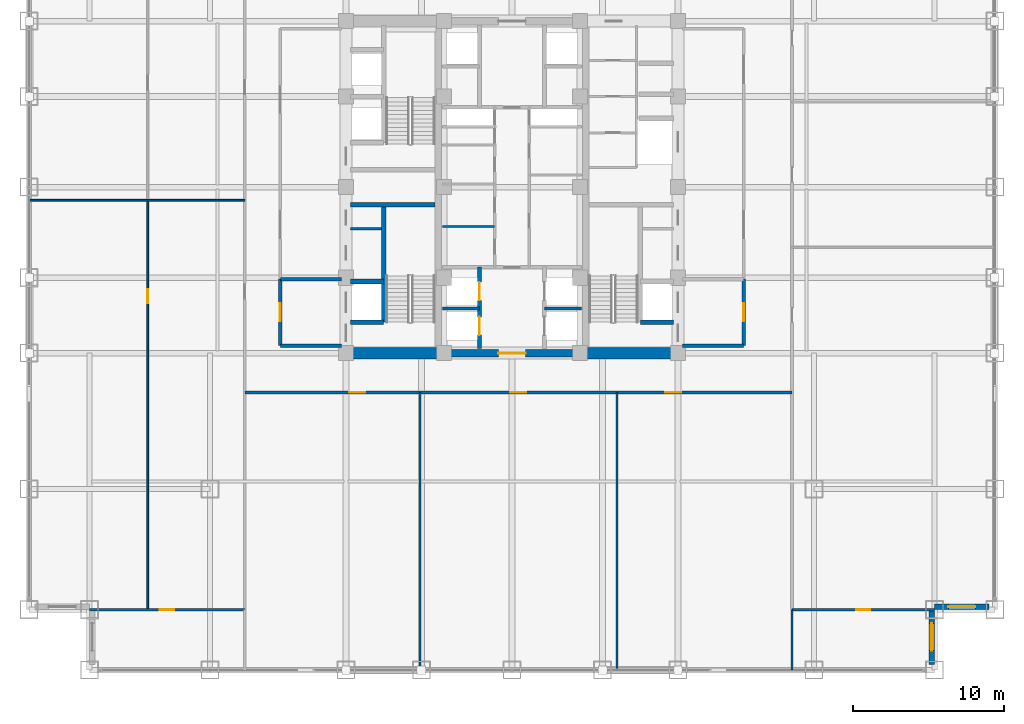
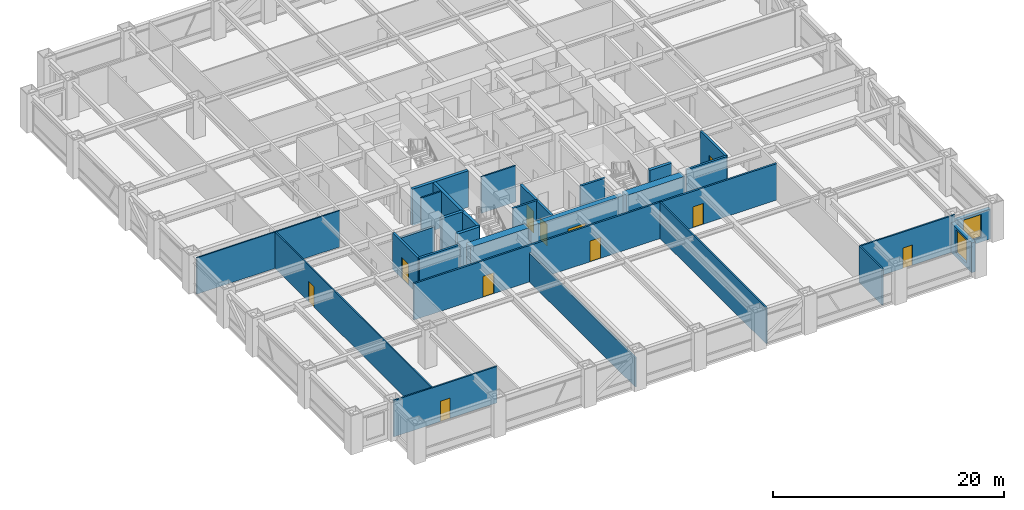
# One storey, part 23 of 27: 28 walls, 11 doors, 2 windows, 13 openings.
"""IFC4 building model written with IfcOpenShell, lengths in metres."""

from ifc_helpers import new_model, si_unit, direction, frame, frame_2d, origin, place, context, subcontext, project, spatial, rectangle, extrude, source, transform, mapped, material, layer, layer_set, type_object, element, fill, save


model = new_model("IFC4")

# Units and contexts
model_context = context("Model", 3, precision=1e-05, world=origin(), true_north=direction((0.0, 1.0)))
body_context = subcontext(model_context, "Body", "Model", "MODEL_VIEW")
ifc_project = project(units=[si_unit("LENGTHUNIT", "METRE"), si_unit("AREAUNIT", "SQUARE_METRE"), si_unit("VOLUMEUNIT", "CUBIC_METRE"), si_unit("PLANEANGLEUNIT", "RADIAN"), si_unit("MASSUNIT", "GRAM", prefix="KILO")], contexts=[model_context])

# Site, building, storey
site_placement = place(None, origin())
site = spatial("IfcSite", under=ifc_project, at=site_placement, CompositionType="ELEMENT")
building_placement = place(site_placement, origin())
building = spatial("IfcBuilding", under=site, at=building_placement, Name="Khorayat Bourse Tower", CompositionType="ELEMENT")
storey_placement = place(building_placement, frame((0.0, 0.0, 107.800048828125)))
storey = spatial("IfcBuildingStorey", under=building, at=storey_placement, Name="L24", CompositionType="ELEMENT", Elevation=107.800048828125)

# Walls
ifc_material_1 = material(Name="Concrete C72/90", Category="concrete")
ifc_layer_1 = layer(ifc_material_1, 0.75)
ifc_layer_set_1 = layer_set([ifc_layer_1], Name="Concrete C72/90")
wall_type_1 = type_object("IfcWallType", Name="WAL-CORE-750", PredefinedType="SHEAR", material=ifc_layer_set_1)
shared_shape_1 = source(origin(), body_context, "Body", "SweptSolid", [
    extrude(rectangle(XDim=5.849853515625, YDim=0.75, at=frame_2d((2.9248046875, 0.0))), origin(), (0.0, 0.0, 1.0), 3.83984375),
])
for number, where, z_axis, x_axis, name in (
    (1, (-10.699951171875, -11.0, 0.0), (0.0, 0.0, 1.0), (1.0, 0.0, 0.0), "L24 Core Shear Wall PIER-WS"),
    (2, (4.85009765625, -11.0, 0.0), (0.0, 0.0, 1.0), (1.0, 0.0, 0.0), "L24 Core Shear Wall PIER-ES"),
):
    element("IfcWall", number, at=place(storey_placement, frame(where, z_axis=z_axis, x_axis=x_axis)), inside=storey, type_object=wall_type_1, Name=name, PredefinedType="SHEAR", context=body_context, shape_type="MappedRepresentation", body=[
        mapped(shared_shape_1, transform((0.0, 0.0, 0.0), scale=1.0)),
    ])
ifc_material_2 = material(Name="Concrete C50/60", Category="concrete")
ifc_layer_2 = layer(ifc_material_2, 0.300048828125)
ifc_layer_set_2 = layer_set([ifc_layer_2], Name="Concrete C50/60")
wall_type_2 = type_object("IfcWallType", Name="WAL-SHAFT-300", PredefinedType="SHEAR", material=ifc_layer_set_2)
shared_shape_2 = source(origin(), body_context, "Body", "SweptSolid", [
    extrude(rectangle(XDim=5.599853515625, YDim=0.300048828125, at=frame_2d((2.7998046875, 0.0))), origin(), (0.0, 0.0, 1.0), 3.83984375),
])
wall_1_placement = place(storey_placement, frame((-10.699951171875, -1.14990234375, 0.0), z_axis=(0.0, 0.0, 1.0), x_axis=(1.0, 0.0, 0.0)))
element("IfcWall", 3, at=wall_1_placement, inside=storey, type_object=wall_type_2, Name="L24 Core Shear Wall ST1-DIV", PredefinedType="SHEAR", context=body_context, shape_type="MappedRepresentation", body=[
    mapped(shared_shape_2, transform((0.0, 0.0, 0.0), scale=1.0)),
])

# Wall, opening, door
ifc_material_3 = material(Name="Concrete C52/65", Category="concrete")
ifc_layer_3 = layer(ifc_material_3, 0.5)
ifc_layer_set_3 = layer_set([ifc_layer_3], Name="Concrete C52/65")
wall_type_3 = type_object("IfcWallType", Name="WAL-CORE-500", PredefinedType="SHEAR", material=ifc_layer_set_3)
shared_shape_3 = source(origin(), body_context, "Body", "SweptSolid", [
    extrude(rectangle(XDim=9.2001953125, YDim=0.5, at=frame_2d((4.60009765625, 0.0))), origin(), (0.0, 0.0, 1.0), 3.83984375),
])
wall_2_placement = place(storey_placement, frame((-4.60009765625, -11.0, 0.0), z_axis=(0.0, 0.0, 1.0), x_axis=(1.0, 0.0, 0.0)))
wall_2 = element("IfcWall", 4, at=wall_2_placement, inside=storey, type_object=wall_type_3, Name="L24 Core Shear Wall CORE-S", PredefinedType="SHEAR", context=body_context, shape_type="MappedRepresentation", body=[
    mapped(shared_shape_3, transform((0.0, 0.0, 0.0), scale=1.0)),
])
shared_shape_4 = source(origin(), body_context, "Body", "SweptSolid", [
    extrude(rectangle(XDim=1.800048828125, YDim=2.25, at=frame_2d((0.89990234375, 1.125))), frame((0.0, 0.260009765625, 0.0), z_axis=(0.0, -1.0, 0.0), x_axis=(1.0, 0.0, 0.0)), (0.0, 0.0, 1.0), 0.52001953125),
])
opening_1_placement = place(wall_2_placement, frame((3.699951171875, 0.0, 0.0)))
opening_1 = element("IfcOpeningElement", 5, at=opening_1_placement, cuts=wall_2, Name="Opening DI-03", PredefinedType="OPENING", context=body_context, shape_type="MappedRepresentation", body=[
    mapped(shared_shape_4, transform((0.0, 0.0, 0.0), scale=1.0)),
])
ifc_material_4 = material(Name="Fire-rated hardwood vision-panel double leaf", Category="wood")
door_type_1 = type_object("IfcDoorType", Name="DR-INT-CORR-1800", OperationType="NOTDEFINED", PredefinedType="DOOR", material=ifc_material_4)
shared_shape_5 = source(origin(), body_context, "Body", "SweptSolid", [
    extrude(rectangle(XDim=1.800048828125, YDim=2.25, at=frame_2d((0.89990234375, 1.125))), frame((0.0, 0.02490234375, 0.0), z_axis=(0.0, -1.0, 0.0), x_axis=(1.0, 0.0, 0.0)), (0.0, 0.0, 1.0), 0.050048828125),
])
door_1_placement = place(opening_1_placement, origin())
door_1 = element("IfcDoor", 6, at=door_1_placement, inside=storey, type_object=door_type_1, Name="L24 Low-Rise Lift Lobby Door", OperationType="SINGLE_SWING_LEFT", OverallHeight=2.25, OverallWidth=1.800048828125, PredefinedType="DOOR", context=body_context, shape_type="MappedRepresentation", body=[
    mapped(shared_shape_5, transform((0.0, 0.0, 0.0), scale=1.0)),
])
fill(opening_1, door_1)

# Wall, opening, window
ifc_material_5 = material(Name="Precast concrete C45/55", Category="concrete")
ifc_layer_4 = layer(ifc_material_5, 0.3798828125)
ifc_layer_set_4 = layer_set([ifc_layer_4], Name="Precast concrete C45/55")
wall_type_4 = type_object("IfcWallType", Name="WAL-EXT-STONE-380", PredefinedType="STANDARD", material=ifc_layer_set_4)
shared_shape_6 = source(origin(), body_context, "Body", "SweptSolid", [
    extrude(rectangle(XDim=3.6201171875, YDim=0.3798828125, at=frame_2d((1.81005859375, 0.0))), origin(), (0.0, 0.0, 1.0), 3.14501953125),
])
wall_3_placement = place(storey_placement, frame((27.81005859375, -31.6201171875, 0.0), z_axis=(0.0, 0.0, 1.0), x_axis=(0.0, 1.0, 0.0)))
wall_3 = element("IfcWall", 7, at=wall_3_placement, inside=storey, type_object=wall_type_4, Name="L24 Re-Entrant Notch Limestone Wall SE-V", PredefinedType="STANDARD", context=body_context, shape_type="MappedRepresentation", body=[
    mapped(shared_shape_6, transform((0.0, 0.0, 0.0), scale=1.0)),
])
shared_shape_7 = source(origin(), body_context, "Body", "SweptSolid", [
    extrude(rectangle(XDim=1.800048828125, YDim=2.39990234375, at=frame_2d((0.89990234375, 1.199951171875))), frame((0.0, 0.199951171875, 0.0), z_axis=(0.0, -1.0, 0.0), x_axis=(1.0, 0.0, 0.0)), (0.0, 0.0, 1.0), 0.39990234375),
])
opening_2_placement = place(wall_3_placement, frame((0.909912109375, 0.0, 0.5)))
opening_2 = element("IfcOpeningElement", 8, at=opening_2_placement, cuts=wall_3, Name="Opening WN-04", PredefinedType="OPENING", context=body_context, shape_type="MappedRepresentation", body=[
    mapped(shared_shape_7, transform((0.0, 0.0, 0.0), scale=1.0)),
])
ifc_material_6 = material(Name="Low-E acoustic laminated double glazing", Category="glass")
window_type = type_object("IfcWindowType", Name="WIN-NOTCH-1800x2400", PartitioningType="SINGLE_PANEL", PredefinedType="WINDOW", material=ifc_material_6)
shared_shape_8 = source(origin(), body_context, "Body", "SweptSolid", [
    extrude(rectangle(XDim=1.800048828125, YDim=2.39990234375, at=frame_2d((0.89990234375, 1.199951171875))), frame((0.0, 0.030029296875, 0.0), z_axis=(0.0, -1.0, 0.0), x_axis=(1.0, 0.0, 0.0)), (0.0, 0.0, 1.0), 0.06005859375),
])
window_1_placement = place(opening_2_placement, origin())
window_1 = element("IfcWindow", 9, at=window_1_placement, inside=storey, type_object=window_type, Name="L24 Facade Window 1", OverallHeight=2.39990234375, OverallWidth=1.800048828125, PartitioningType="SINGLE_PANEL", PredefinedType="WINDOW", context=body_context, shape_type="MappedRepresentation", body=[
    mapped(shared_shape_8, transform((0.0, 0.0, 0.0), scale=1.0)),
])
fill(opening_2, window_1)

wall_4_placement = place(storey_placement, frame((28.0, -27.81005859375, 0.0), z_axis=(0.0, 0.0, 1.0), x_axis=(1.0, 0.0, 0.0)))
wall_4 = element("IfcWall", 10, at=wall_4_placement, inside=storey, type_object=wall_type_4, Name="L24 Re-Entrant Notch Limestone Wall SE-H", PredefinedType="STANDARD", context=body_context, shape_type="MappedRepresentation", body=[
    mapped(shared_shape_6, transform((0.0, 0.0, 0.0), scale=1.0)),
])
opening_3_placement = place(wall_4_placement, frame((0.909912109375, 0.0, 0.5)))
opening_3 = element("IfcOpeningElement", 11, at=opening_3_placement, cuts=wall_4, Name="Opening WN-04", PredefinedType="OPENING", context=body_context, shape_type="MappedRepresentation", body=[
    mapped(shared_shape_7, transform((0.0, 0.0, 0.0), scale=1.0)),
])
window_2_placement = place(opening_3_placement, origin())
window_2 = element("IfcWindow", 12, at=window_2_placement, inside=storey, type_object=window_type, Name="L24 Facade Window 1", OverallHeight=2.39990234375, OverallWidth=1.800048828125, PartitioningType="SINGLE_PANEL", PredefinedType="WINDOW", context=body_context, shape_type="MappedRepresentation", body=[
    mapped(shared_shape_8, transform((0.0, 0.0, 0.0), scale=1.0)),
])
fill(opening_3, window_2)

# Walls
ifc_material_7 = material(Name="Aerated concrete blockwork", Category="masonry")
ifc_layer_5 = layer(ifc_material_7, 0.219970703125)
ifc_layer_set_5 = layer_set([ifc_layer_5], Name="Aerated concrete blockwork")
wall_type_5 = type_object("IfcWallType", Name="WAL-PART-FF-220", PredefinedType="PARTITIONING", material=ifc_layer_set_5)
shared_shape_9 = source(origin(), body_context, "Body", "SweptSolid", [
    extrude(rectangle(XDim=4.050048828125, YDim=0.219970703125, at=frame_2d((2.02490234375, 0.0))), origin(), (0.0, 0.0, 1.0), 3.06689453125),
])
wall_5_placement = place(storey_placement, frame((-15.35009765625, -6.10009765625, 0.0), z_axis=(0.0, 0.0, 1.0), x_axis=(1.0, 0.0, 0.0)))
element("IfcWall", 13, at=wall_5_placement, inside=storey, type_object=wall_type_5, Name="L24 Partition WAL-L24-FFLW-N", PredefinedType="PARTITIONING", context=body_context, shape_type="MappedRepresentation", body=[
    mapped(shared_shape_9, transform((0.0, 0.0, 0.0), scale=1.0)),
])
shared_shape_10 = source(origin(), body_context, "Body", "SweptSolid", [
    extrude(rectangle(XDim=7.800048828125, YDim=0.300048828125, at=frame_2d((3.89990234375, 0.0))), origin(), (0.0, 0.0, 1.0), 3.83984375),
])
wall_6_placement = place(storey_placement, frame((-8.5, -8.949951171875, 0.0), z_axis=(0.0, 0.0, 1.0), x_axis=(0.0, 1.0, 0.0)))
element("IfcWall", 14, at=wall_6_placement, inside=storey, type_object=wall_type_2, Name="L24 Partition WAL-L24-WPIER-SP", PredefinedType="SHEAR", context=body_context, shape_type="MappedRepresentation", body=[
    mapped(shared_shape_10, transform((0.0, 0.0, 0.0), scale=1.0)),
])
shared_shape_11 = source(origin(), body_context, "Body", "SweptSolid", [
    extrude(rectangle(XDim=2.199951171875, YDim=0.300048828125, at=frame_2d((1.10009765625, 0.0))), origin(), (0.0, 0.0, 1.0), 3.83984375),
])
for number, where, z_axis, x_axis, name in (
    (15, (-10.699951171875, -8.949951171875, 0.0), (0.0, 0.0, 1.0), (1.0, 0.0, 0.0), "L24 Partition WAL-L24-WPIER-FF1S"),
    (16, (-10.699951171875, -6.25, 0.0), (0.0, 0.0, 1.0), (1.0, 0.0, 0.0), "L24 Partition WAL-L24-WPIER-FF1N"),
    (17, (8.5, -8.949951171875, 0.0), (0.0, 0.0, 1.0), (1.0, 0.0, 0.0), "L24 Partition WAL-L24-EPIER-FF2S"),
):
    element("IfcWall", number, at=place(storey_placement, frame(where, z_axis=z_axis, x_axis=x_axis)), inside=storey, type_object=wall_type_2, Name=name, PredefinedType="SHEAR", context=body_context, shape_type="MappedRepresentation", body=[
        mapped(shared_shape_11, transform((0.0, 0.0, 0.0), scale=1.0)),
    ])
ifc_material_8 = material(Name="Gypsum plasterboard twin-frame partition")
ifc_layer_6 = layer(ifc_material_8, 0.14990234375)
ifc_layer_set_6 = layer_set([ifc_layer_6], Name="Gypsum plasterboard twin-frame partition")
wall_type_6 = type_object("IfcWallType", Name="WAL-PART-SUITE-150", PredefinedType="PARTITIONING", material=ifc_layer_set_6)
shared_shape_12 = source(origin(), body_context, "Body", "SweptSolid", [
    extrude(rectangle(XDim=2.050048828125, YDim=0.14990234375, at=frame_2d((1.02490234375, 0.0))), origin(), (0.0, 0.0, 1.0), 3.83984375),
])
wall_7_placement = place(storey_placement, frame((-10.699951171875, -2.75, 0.0), z_axis=(0.0, 0.0, 1.0), x_axis=(1.0, 0.0, 0.0)))
element("IfcWall", 18, at=wall_7_placement, inside=storey, type_object=wall_type_6, Name="L24 Partition WAL-L24-WSRV-D1", PredefinedType="PARTITIONING", context=body_context, shape_type="MappedRepresentation", body=[
    mapped(shared_shape_12, transform((0.0, 0.0, 0.0), scale=1.0)),
])
shared_shape_13 = source(origin(), body_context, "Body", "SweptSolid", [
    extrude(rectangle(XDim=4.050048828125, YDim=0.219970703125, at=frame_2d((2.02490234375, 0.0))), origin(), (0.0, 0.0, 1.0), 3.83984375),
])
for number, where, z_axis, x_axis, name in (
    (19, (-15.35009765625, -10.5, 0.0), (0.0, 0.0, 1.0), (1.0, 0.0, 0.0), "L24 Partition WAL-L24-FFLW-S"),
    (20, (11.300048828125, -10.5, 0.0), (0.0, 0.0, 1.0), (1.0, 0.0, 0.0), "L24 Partition WAL-L24-FFLE-S"),
):
    element("IfcWall", number, at=place(storey_placement, frame(where, z_axis=z_axis, x_axis=x_axis)), inside=storey, type_object=wall_type_5, Name=name, PredefinedType="PARTITIONING", context=body_context, shape_type="MappedRepresentation", body=[
        mapped(shared_shape_13, transform((0.0, 0.0, 0.0), scale=1.0)),
    ])

# Wall, opening, door
shared_shape_14 = source(origin(), body_context, "Body", "SweptSolid", [
    extrude(rectangle(XDim=4.39990234375, YDim=0.219970703125, at=frame_2d((2.199951171875, 0.0))), origin(), (0.0, 0.0, 1.0), 3.83984375),
])
wall_8_placement = place(storey_placement, frame((-15.35009765625, -10.5, 0.0), z_axis=(0.0, 0.0, 1.0), x_axis=(0.0, 1.0, 0.0)))
wall_8 = element("IfcWall", 21, at=wall_8_placement, inside=storey, type_object=wall_type_5, Name="L24 Partition WAL-L24-FFLW-W", PredefinedType="PARTITIONING", context=body_context, shape_type="MappedRepresentation", body=[
    mapped(shared_shape_14, transform((0.0, 0.0, 0.0), scale=1.0)),
])
shared_shape_15 = source(origin(), body_context, "Body", "SweptSolid", [
    extrude(rectangle(XDim=1.199951171875, YDim=2.199951171875, at=frame_2d((0.60009765625, 1.10009765625))), frame((0.0, 0.119873046875, 0.0), z_axis=(0.0, -1.0, 0.0), x_axis=(1.0, 0.0, 0.0)), (0.0, 0.0, 1.0), 0.239990234375),
])
opening_4_placement = place(wall_8_placement, frame((1.60009765625, 0.0, 0.0)))
opening_4 = element("IfcOpeningElement", 22, at=opening_4_placement, cuts=wall_8, Name="Opening DI-02", PredefinedType="OPENING", context=body_context, shape_type="MappedRepresentation", body=[
    mapped(shared_shape_15, transform((0.0, 0.0, 0.0), scale=1.0)),
])
ifc_material_9 = material(Name="Fire-rated steel double-seal leaf", Category="steel")
door_type_2 = type_object("IfcDoorType", Name="DR-INT-FFLOBBY-1200", OperationType="NOTDEFINED", PredefinedType="DOOR", material=ifc_material_9)
shared_shape_16 = source(origin(), body_context, "Body", "SweptSolid", [
    extrude(rectangle(XDim=1.199951171875, YDim=2.199951171875, at=frame_2d((0.60009765625, 1.10009765625))), frame((0.0, 0.02490234375, 0.0), z_axis=(0.0, -1.0, 0.0), x_axis=(1.0, 0.0, 0.0)), (0.0, 0.0, 1.0), 0.050048828125),
])
door_2_placement = place(opening_4_placement, origin())
door_2 = element("IfcDoor", 23, at=door_2_placement, inside=storey, type_object=door_type_2, Name="L24 West Firefighting Lobby Door", OperationType="SINGLE_SWING_LEFT", OverallHeight=2.199951171875, OverallWidth=1.199951171875, PredefinedType="DOOR", context=body_context, shape_type="MappedRepresentation", body=[
    mapped(shared_shape_16, transform((0.0, 0.0, 0.0), scale=1.0)),
])
fill(opening_4, door_2)

wall_9_placement = place(storey_placement, frame((15.35009765625, -10.5, 0.0), z_axis=(0.0, 0.0, 1.0), x_axis=(0.0, 1.0, 0.0)))
wall_9 = element("IfcWall", 24, at=wall_9_placement, inside=storey, type_object=wall_type_5, Name="L24 Partition WAL-L24-FFLE-E", PredefinedType="PARTITIONING", context=body_context, shape_type="MappedRepresentation", body=[
    mapped(shared_shape_14, transform((0.0, 0.0, 0.0), scale=1.0)),
])
opening_5_placement = place(wall_9_placement, frame((1.60009765625, 0.0, 0.0)))
opening_5 = element("IfcOpeningElement", 25, at=opening_5_placement, cuts=wall_9, Name="Opening DI-02", PredefinedType="OPENING", context=body_context, shape_type="MappedRepresentation", body=[
    mapped(shared_shape_15, transform((0.0, 0.0, 0.0), scale=1.0)),
])
door_3_placement = place(opening_5_placement, origin())
door_3 = element("IfcDoor", 26, at=door_3_placement, inside=storey, type_object=door_type_2, Name="L24 East Firefighting Lobby Door", OperationType="SINGLE_SWING_RIGHT", OverallHeight=2.199951171875, OverallWidth=1.199951171875, PredefinedType="DOOR", context=body_context, shape_type="MappedRepresentation", body=[
    mapped(shared_shape_16, transform((0.0, 0.0, 0.0), scale=1.0)),
])
fill(opening_5, door_3)

# Wall, openings, doors
shared_shape_17 = source(origin(), body_context, "Body", "SweptSolid", [
    extrude(rectangle(XDim=5.39990234375, YDim=0.25, at=frame_2d((2.699951171875, 0.0))), origin(), (0.0, 0.0, 1.0), 3.83984375),
])
wall_10_placement = place(storey_placement, frame((-2.14990234375, -10.699951171875, 0.0), z_axis=(0.0, 0.0, 1.0), x_axis=(0.0, 1.0, 0.0)))
wall_10 = element("IfcWall", 27, at=wall_10_placement, inside=storey, type_object=wall_type_2, Name="L24 Partition WAL-L24-B1-W", PredefinedType="SHEAR", context=body_context, shape_type="MappedRepresentation", body=[
    mapped(shared_shape_17, transform((0.0, 0.0, 0.0), scale=1.0)),
])
shared_shape_18 = source(origin(), body_context, "Body", "SweptSolid", [
    extrude(rectangle(XDim=1.199951171875, YDim=2.300048828125, at=frame_2d((0.60009765625, 1.14990234375))), frame((0.0, 0.135009765625, 0.0), z_axis=(0.0, -1.0, 0.0), x_axis=(1.0, 0.0, 0.0)), (0.0, 0.0, 1.0), 0.27001953125),
])
opening_6_placement = place(wall_10_placement, frame((0.89990234375, 0.0, 0.0)))
opening_6 = element("IfcOpeningElement", 28, at=opening_6_placement, cuts=wall_10, Name="Opening LD-01", PredefinedType="OPENING", context=body_context, shape_type="MappedRepresentation", body=[
    mapped(shared_shape_18, transform((0.0, 0.0, 0.0), scale=1.0)),
])
opening_7_placement = place(wall_10_placement, frame((3.199951171875, 0.0, 0.0)))
opening_7 = element("IfcOpeningElement", 29, at=opening_7_placement, cuts=wall_10, Name="Opening LD-01", PredefinedType="OPENING", context=body_context, shape_type="MappedRepresentation", body=[
    mapped(shared_shape_18, transform((0.0, 0.0, 0.0), scale=1.0)),
])
ifc_material_10 = material(Name="Brushed bronze stainless-steel sliding door", Category="steel")
door_type_3 = type_object("IfcDoorType", Name="DR-LIFT-PASS-1200", OperationType="NOTDEFINED", PredefinedType="DOOR", material=ifc_material_10)
shared_shape_19 = source(origin(), body_context, "Body", "SweptSolid", [
    extrude(rectangle(XDim=1.199951171875, YDim=2.300048828125, at=frame_2d((0.60009765625, 1.14990234375))), frame((0.0, 0.02490234375, 0.0), z_axis=(0.0, -1.0, 0.0), x_axis=(1.0, 0.0, 0.0)), (0.0, 0.0, 1.0), 0.050048828125),
])
door_4_placement = place(opening_6_placement, origin())
door_4 = element("IfcDoor", 30, at=door_4_placement, inside=storey, type_object=door_type_3, Name="L24 Lift PL-L1 Sliding Landing Door", OperationType="SLIDING_TO_LEFT", OverallHeight=2.300048828125, OverallWidth=1.199951171875, PredefinedType="DOOR", context=body_context, shape_type="MappedRepresentation", body=[
    mapped(shared_shape_19, transform((0.0, 0.0, 0.0), scale=1.0)),
])
fill(opening_6, door_4)
door_5_placement = place(opening_7_placement, origin())
door_5 = element("IfcDoor", 31, at=door_5_placement, inside=storey, type_object=door_type_3, Name="L24 Lift PL-L3 Sliding Landing Door", OperationType="SLIDING_TO_LEFT", OverallHeight=2.300048828125, OverallWidth=1.199951171875, PredefinedType="DOOR", context=body_context, shape_type="MappedRepresentation", body=[
    mapped(shared_shape_19, transform((0.0, 0.0, 0.0), scale=1.0)),
])
fill(opening_7, door_5)

# Walls
shared_shape_20 = source(origin(), body_context, "Body", "SweptSolid", [
    extrude(rectangle(XDim=2.4501953125, YDim=0.199951171875, at=frame_2d((1.22509765625, 0.0))), origin(), (0.0, 0.0, 1.0), 3.83984375),
])
for number, where, z_axis, x_axis, name in (
    (32, (-4.60009765625, -8.050048828125, 0.0), (0.0, 0.0, 1.0), (1.0, 0.0, 0.0), "L24 Partition WAL-L24-B1-MW"),
    (33, (2.14990234375, -8.050048828125, 0.0), (0.0, 0.0, 1.0), (1.0, 0.0, 0.0), "L24 Partition WAL-L24-B1-ME"),
):
    element("IfcWall", number, at=place(storey_placement, frame(where, z_axis=z_axis, x_axis=x_axis)), inside=storey, type_object=wall_type_2, Name=name, PredefinedType="SHEAR", context=body_context, shape_type="MappedRepresentation", body=[
        mapped(shared_shape_20, transform((0.0, 0.0, 0.0), scale=1.0)),
    ])
ifc_material_11 = material(Name="Moisture-resistant masonry partition", Category="masonry")
ifc_layer_7 = layer(ifc_material_11, 0.139892578125)
ifc_layer_set_7 = layer_set([ifc_layer_7], Name="Moisture-resistant masonry partition")
wall_type_7 = type_object("IfcWallType", Name="WAL-PART-WET-140", PredefinedType="PARTITIONING", material=ifc_layer_set_7)
shared_shape_21 = source(origin(), body_context, "Body", "SweptSolid", [
    extrude(rectangle(XDim=3.4501953125, YDim=0.139892578125, at=frame_2d((1.72509765625, 0.0))), origin(), (0.0, 0.0, 1.0), 3.83984375),
])
wall_11_placement = place(storey_placement, frame((-4.60009765625, -2.60009765625, 0.0), z_axis=(0.0, 0.0, 1.0), x_axis=(1.0, 0.0, 0.0)))
element("IfcWall", 34, at=wall_11_placement, inside=storey, type_object=wall_type_7, Name="L24 Partition WAL-L24-CMW-D1", PredefinedType="PARTITIONING", context=body_context, shape_type="MappedRepresentation", body=[
    mapped(shared_shape_21, transform((0.0, 0.0, 0.0), scale=1.0)),
])
shared_shape_22 = source(origin(), body_context, "Body", "SweptSolid", [
    extrude(rectangle(XDim=4.0, YDim=0.14990234375, at=frame_2d((2.0, 0.0))), origin(), (0.0, 0.0, 1.0), 3.83984375),
])
wall_12_placement = place(storey_placement, frame((18.550048828125, -32.0, 0.0), z_axis=(0.0, 0.0, 1.0), x_axis=(0.0, 1.0, 0.0)))
element("IfcWall", 35, at=wall_12_placement, inside=storey, type_object=wall_type_6, Name="L24 Partition WAL-L24-SCE-END", PredefinedType="PARTITIONING", context=body_context, shape_type="MappedRepresentation", body=[
    mapped(shared_shape_22, transform((0.0, 0.0, 0.0), scale=1.0)),
])
ifc_material_12 = material(Name="Gypsum plasterboard partition")
ifc_layer_8 = layer(ifc_material_12, 0.125)
ifc_layer_set_8 = layer_set([ifc_layer_8], Name="Gypsum plasterboard partition")
wall_type_8 = type_object("IfcWallType", Name="WAL-PART-ROOM-125", PredefinedType="PARTITIONING", material=ifc_layer_set_8)
shared_shape_23 = source(origin(), body_context, "Body", "SweptSolid", [
    extrude(rectangle(XDim=14.300048828125, YDim=0.125, at=frame_2d((7.14990234375, 0.0))), origin(), (0.0, 0.0, 1.0), 3.83984375),
])
wall_13_placement = place(storey_placement, frame((-32.0, -0.864990234375, 0.0), z_axis=(0.0, 0.0, 1.0), x_axis=(1.0, 0.0, 0.0)))
element("IfcWall", 36, at=wall_13_placement, inside=storey, type_object=wall_type_8, Name="L24 Partition WAL-L24-WDV-1", PredefinedType="PARTITIONING", context=body_context, shape_type="MappedRepresentation", body=[
    mapped(shared_shape_23, transform((0.0, 0.0, 0.0), scale=1.0)),
])

# Wall, opening, door
shared_shape_24 = source(origin(), body_context, "Body", "SweptSolid", [
    extrude(rectangle(XDim=10.300048828125, YDim=0.14990234375, at=frame_2d((5.14990234375, 0.0))), origin(), (0.0, 0.0, 1.0), 3.83984375),
])
wall_14_placement = place(storey_placement, frame((-28.0, -28.0, 0.0), z_axis=(0.0, 0.0, 1.0), x_axis=(1.0, 0.0, 0.0)))
wall_14 = element("IfcWall", 37, at=wall_14_placement, inside=storey, type_object=wall_type_6, Name="L24 Partition WAL-L24-CSW", PredefinedType="PARTITIONING", context=body_context, shape_type="MappedRepresentation", body=[
    mapped(shared_shape_24, transform((0.0, 0.0, 0.0), scale=1.0)),
])
shared_shape_25 = source(origin(), body_context, "Body", "SweptSolid", [
    extrude(rectangle(XDim=0.949951171875, YDim=2.14990234375, at=frame_2d((0.47509765625, 1.074951171875))), frame((0.0, 0.0849609375, 0.0), z_axis=(0.0, -1.0, 0.0), x_axis=(1.0, 0.0, 0.0)), (0.0, 0.0, 1.0), 0.169921875),
])
opening_8_placement = place(wall_14_placement, frame((4.675048828125, 0.0, 0.0)))
opening_8 = element("IfcOpeningElement", 38, at=opening_8_placement, cuts=wall_14, Name="Opening DI-05", PredefinedType="OPENING", context=body_context, shape_type="MappedRepresentation", body=[
    mapped(shared_shape_25, transform((0.0, 0.0, 0.0), scale=1.0)),
])
ifc_material_13 = material(Name="Acoustic oak veneer office door")
door_type_4 = type_object("IfcDoorType", Name="DR-INT-OFFICE-950", OperationType="NOTDEFINED", PredefinedType="DOOR", material=ifc_material_13)
shared_shape_26 = source(origin(), body_context, "Body", "SweptSolid", [
    extrude(rectangle(XDim=0.949951171875, YDim=2.14990234375, at=frame_2d((0.47509765625, 1.074951171875))), frame((0.0, 0.02490234375, 0.0), z_axis=(0.0, -1.0, 0.0), x_axis=(1.0, 0.0, 0.0)), (0.0, 0.0, 1.0), 0.050048828125),
])
door_6_placement = place(opening_8_placement, origin())
door_6 = element("IfcDoor", 39, at=door_6_placement, inside=storey, type_object=door_type_4, Name="L24 South-West Corner Office Door", OperationType="SINGLE_SWING_LEFT", OverallHeight=2.14990234375, OverallWidth=0.949951171875, PredefinedType="DOOR", context=body_context, shape_type="MappedRepresentation", body=[
    mapped(shared_shape_26, transform((0.0, 0.0, 0.0), scale=1.0)),
])
fill(opening_8, door_6)

# Walls
shared_shape_27 = source(origin(), body_context, "Body", "SweptSolid", [
    extrude(rectangle(XDim=18.39990234375, YDim=0.14990234375, at=frame_2d((9.199951171875, 0.0))), origin(), (0.0, 0.0, 1.0), 3.06689453125),
])
wall_15_placement = place(storey_placement, frame((-6.10009765625, -32.0, 0.0), z_axis=(0.0, 0.0, 1.0), x_axis=(0.0, 1.0, 0.0)))
element("IfcWall", 40, at=wall_15_placement, inside=storey, type_object=wall_type_6, Name="L24 Partition WAL-L24-SDV-1", PredefinedType="PARTITIONING", context=body_context, shape_type="MappedRepresentation", body=[
    mapped(shared_shape_27, transform((0.0, 0.0, 0.0), scale=1.0)),
])
shared_shape_28 = source(origin(), body_context, "Body", "SweptSolid", [
    extrude(rectangle(XDim=18.39990234375, YDim=0.14990234375, at=frame_2d((9.199951171875, 0.0))), origin(), (0.0, 0.0, 1.0), 3.83984375),
])
wall_16_placement = place(storey_placement, frame((6.949951171875, -32.0, 0.0), z_axis=(0.0, 0.0, 1.0), x_axis=(0.0, 1.0, 0.0)))
element("IfcWall", 41, at=wall_16_placement, inside=storey, type_object=wall_type_6, Name="L24 Partition WAL-L24-SDV-2", PredefinedType="PARTITIONING", context=body_context, shape_type="MappedRepresentation", body=[
    mapped(shared_shape_28, transform((0.0, 0.0, 0.0), scale=1.0)),
])

# Wall, openings, doors
ifc_material_14 = material(Name="Gypsum plasterboard acoustic stud wall")
ifc_layer_9 = layer(ifc_material_14, 0.179931640625)
ifc_layer_set_9 = layer_set([ifc_layer_9], Name="Gypsum plasterboard acoustic stud wall")
wall_type_9 = type_object("IfcWallType", Name="WAL-PART-CORR-180", PredefinedType="PARTITIONING", material=ifc_layer_set_9)
shared_shape_29 = source(origin(), body_context, "Body", "SweptSolid", [
    extrude(rectangle(XDim=36.25, YDim=0.179931640625, at=frame_2d((18.125, 0.0))), origin(), (0.0, 0.0, 1.0), 3.83984375),
])
wall_17_placement = place(storey_placement, frame((-17.699951171875, -13.60009765625, 0.0), z_axis=(0.0, 0.0, 1.0), x_axis=(1.0, 0.0, 0.0)))
wall_17 = element("IfcWall", 42, at=wall_17_placement, inside=storey, type_object=wall_type_9, Name="L24 Partition WAL-L24-SCORR", PredefinedType="PARTITIONING", context=body_context, shape_type="MappedRepresentation", body=[
    mapped(shared_shape_29, transform((0.0, 0.0, 0.0), scale=1.0)),
])
shared_shape_30 = source(origin(), body_context, "Body", "SweptSolid", [
    extrude(rectangle(XDim=1.050048828125, YDim=2.199951171875, at=frame_2d((0.52490234375, 1.10009765625))), frame((0.0, 0.099853515625, 0.0), z_axis=(0.0, -1.0, 0.0), x_axis=(1.0, 0.0, 0.0)), (0.0, 0.0, 1.0), 0.199951171875),
])
opening_9_placement = place(wall_17_placement, frame((6.925048828125, 0.0, 0.0)))
opening_9 = element("IfcOpeningElement", 43, at=opening_9_placement, cuts=wall_17, Name="Opening DI-04", PredefinedType="OPENING", context=body_context, shape_type="MappedRepresentation", body=[
    mapped(shared_shape_30, transform((0.0, 0.0, 0.0), scale=1.0)),
])
opening_10_placement = place(wall_17_placement, frame((17.60009765625, 0.0, 0.0)))
opening_10 = element("IfcOpeningElement", 44, at=opening_10_placement, cuts=wall_17, Name="Opening DI-04", PredefinedType="OPENING", context=body_context, shape_type="MappedRepresentation", body=[
    mapped(shared_shape_30, transform((0.0, 0.0, 0.0), scale=1.0)),
])
opening_11_placement = place(wall_17_placement, frame((27.85009765625, 0.0, 0.0)))
opening_11 = element("IfcOpeningElement", 45, at=opening_11_placement, cuts=wall_17, Name="Opening DI-04", PredefinedType="OPENING", context=body_context, shape_type="MappedRepresentation", body=[
    mapped(shared_shape_30, transform((0.0, 0.0, 0.0), scale=1.0)),
])
ifc_material_15 = material(Name="Fire-rated oak veneer suite entrance door")
door_type_5 = type_object("IfcDoorType", Name="DR-INT-SUITE-1050", OperationType="NOTDEFINED", PredefinedType="DOOR", material=ifc_material_15)
shared_shape_31 = source(origin(), body_context, "Body", "SweptSolid", [
    extrude(rectangle(XDim=1.050048828125, YDim=2.199951171875, at=frame_2d((0.52490234375, 1.10009765625))), frame((0.0, 0.02490234375, 0.0), z_axis=(0.0, -1.0, 0.0), x_axis=(1.0, 0.0, 0.0)), (0.0, 0.0, 1.0), 0.050048828125),
])
door_7_placement = place(opening_9_placement, origin())
door_7 = element("IfcDoor", 46, at=door_7_placement, inside=storey, type_object=door_type_5, Name="L24 Executive Boardroom S1 Door", OperationType="SINGLE_SWING_RIGHT", OverallHeight=2.199951171875, OverallWidth=1.050048828125, PredefinedType="DOOR", context=body_context, shape_type="MappedRepresentation", body=[
    mapped(shared_shape_31, transform((0.0, 0.0, 0.0), scale=1.0)),
])
fill(opening_9, door_7)
door_8_placement = place(opening_10_placement, origin())
door_8 = element("IfcDoor", 47, at=door_8_placement, inside=storey, type_object=door_type_5, Name="L24 Market Committee Conference Room S2 Door", OperationType="SINGLE_SWING_LEFT", OverallHeight=2.199951171875, OverallWidth=1.050048828125, PredefinedType="DOOR", context=body_context, shape_type="MappedRepresentation", body=[
    mapped(shared_shape_31, transform((0.0, 0.0, 0.0), scale=1.0)),
])
fill(opening_10, door_8)
door_9_placement = place(opening_11_placement, origin())
door_9 = element("IfcDoor", 48, at=door_9_placement, inside=storey, type_object=door_type_5, Name="L24 Brokerage Seminar Room S3 Door", OperationType="SINGLE_SWING_RIGHT", OverallHeight=2.199951171875, OverallWidth=1.050048828125, PredefinedType="DOOR", context=body_context, shape_type="MappedRepresentation", body=[
    mapped(shared_shape_31, transform((0.0, 0.0, 0.0), scale=1.0)),
])
fill(opening_11, door_9)

# Wall, opening, door
shared_shape_32 = source(origin(), body_context, "Body", "SweptSolid", [
    extrude(rectangle(XDim=27.135009765625, YDim=0.125, at=frame_2d((13.5673828125, 0.0))), origin(), (0.0, 0.0, 1.0), 3.83984375),
])
wall_18_placement = place(storey_placement, frame((-24.135009765625, -28.0, 0.0), z_axis=(0.0, 0.0, 1.0), x_axis=(0.0, 1.0, 0.0)))
wall_18 = element("IfcWall", 49, at=wall_18_placement, inside=storey, type_object=wall_type_8, Name="L24 Partition WAL-L24-WDP-1", PredefinedType="PARTITIONING", context=body_context, shape_type="MappedRepresentation", body=[
    mapped(shared_shape_32, transform((0.0, 0.0, 0.0), scale=1.0)),
])
shared_shape_33 = source(origin(), body_context, "Body", "SweptSolid", [
    extrude(rectangle(XDim=0.949951171875, YDim=2.14990234375, at=frame_2d((0.47509765625, 1.074951171875))), frame((0.0, 0.072509765625, 0.0), z_axis=(0.0, -1.0, 0.0), x_axis=(1.0, 0.0, 0.0)), (0.0, 0.0, 1.0), 0.14501953125),
])
opening_12_placement = place(wall_18_placement, frame((20.29248046875, 0.0, 0.0)))
opening_12 = element("IfcOpeningElement", 50, at=opening_12_placement, cuts=wall_18, Name="Opening DI-05", PredefinedType="OPENING", context=body_context, shape_type="MappedRepresentation", body=[
    mapped(shared_shape_33, transform((0.0, 0.0, 0.0), scale=1.0)),
])
door_10_placement = place(opening_12_placement, origin())
door_10 = element("IfcDoor", 51, at=door_10_placement, inside=storey, type_object=door_type_4, Name="L24 Brokerage Member Kiosk W1B Door", OperationType="SINGLE_SWING_RIGHT", OverallHeight=2.14990234375, OverallWidth=0.949951171875, PredefinedType="DOOR", context=body_context, shape_type="MappedRepresentation", body=[
    mapped(shared_shape_26, transform((0.0, 0.0, 0.0), scale=1.0)),
])
fill(opening_12, door_10)

shared_shape_34 = source(origin(), body_context, "Body", "SweptSolid", [
    extrude(rectangle(XDim=9.449951171875, YDim=0.14990234375, at=frame_2d((4.72509765625, 0.0))), origin(), (0.0, 0.0, 1.0), 3.83984375),
])
wall_19_placement = place(storey_placement, frame((18.550048828125, -28.0, 0.0), z_axis=(0.0, 0.0, 1.0), x_axis=(1.0, 0.0, 0.0)))
wall_19 = element("IfcWall", 52, at=wall_19_placement, inside=storey, type_object=wall_type_6, Name="L24 Partition WAL-L24-CSE", PredefinedType="PARTITIONING", context=body_context, shape_type="MappedRepresentation", body=[
    mapped(shared_shape_34, transform((0.0, 0.0, 0.0), scale=1.0)),
])
opening_13_placement = place(wall_19_placement, frame((4.25, 0.0, 0.0)))
opening_13 = element("IfcOpeningElement", 53, at=opening_13_placement, cuts=wall_19, Name="Opening DI-05", PredefinedType="OPENING", context=body_context, shape_type="MappedRepresentation", body=[
    mapped(shared_shape_25, transform((0.0, 0.0, 0.0), scale=1.0)),
])
door_11_placement = place(opening_13_placement, origin())
door_11 = element("IfcDoor", 54, at=door_11_placement, inside=storey, type_object=door_type_4, Name="L24 South-East Corner Briefing Room Door", OperationType="SINGLE_SWING_LEFT", OverallHeight=2.14990234375, OverallWidth=0.949951171875, PredefinedType="DOOR", context=body_context, shape_type="MappedRepresentation", body=[
    mapped(shared_shape_26, transform((0.0, 0.0, 0.0), scale=1.0)),
])
fill(opening_13, door_11)

save(model, "model.ifc")
